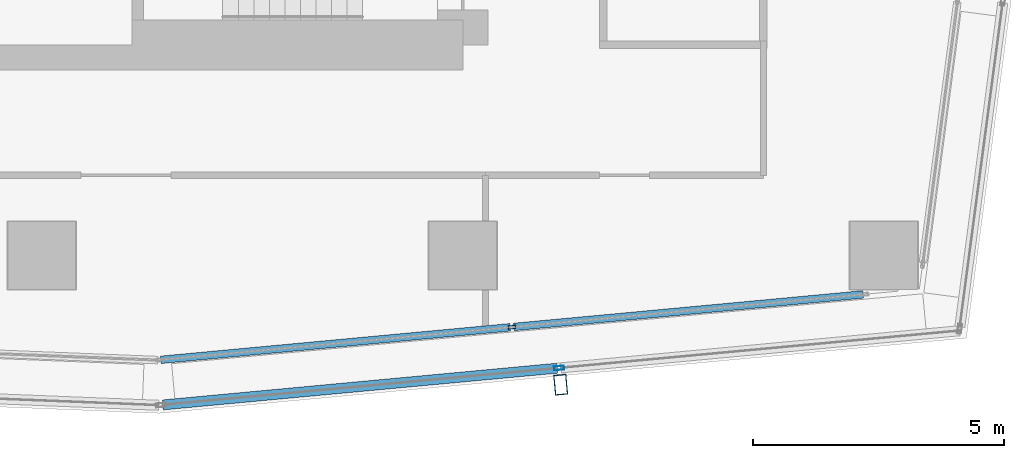
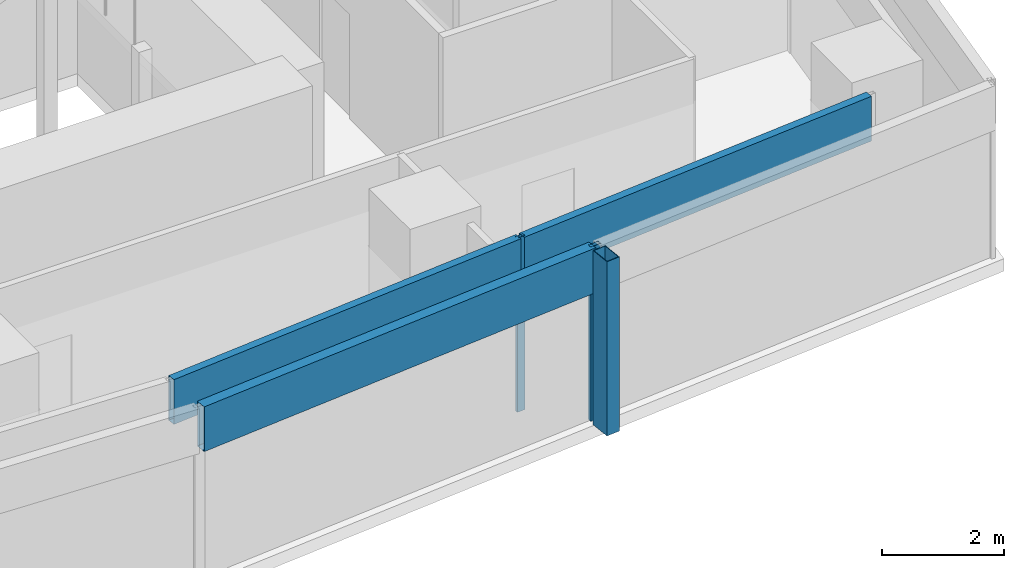
# One storey, part 11 of 33: 6 members, 2 elements without a shape of their own.
"""IFC4 building model written with IfcOpenShell, lengths in metres."""

from ifc_helpers import new_model, si_unit, direction, frame, origin, origin_2d, place, context, subcontext, project, spatial, hollow_rectangle, extrude, material, material_profile, profile_set, type_object, element, aggregate, save


model = new_model("IFC4")

# Units and contexts
model_context = context("Model", 3, precision=1e-05, world=origin(), true_north=direction((0.0, 1.0)))
body_context = subcontext(model_context, "Body", "Model", "MODEL_VIEW")
ifc_project = project(units=[si_unit("LENGTHUNIT", "METRE"), si_unit("AREAUNIT", "SQUARE_METRE"), si_unit("VOLUMEUNIT", "CUBIC_METRE"), si_unit("PLANEANGLEUNIT", "RADIAN"), si_unit("MASSUNIT", "GRAM", prefix="KILO")], contexts=[model_context])

# Site, building, storey
site_placement = place(None, origin())
site = spatial("IfcSite", under=ifc_project, at=site_placement, CompositionType="ELEMENT")
building_placement = place(site_placement, origin())
building = spatial("IfcBuilding", under=site, at=building_placement, Name="Rekha Terrace Tower", CompositionType="ELEMENT")
storey_placement = place(building_placement, frame((0.0, 0.0, 206.449951171875)))
storey = spatial("IfcBuildingStorey", under=building, at=storey_placement, Name="L52", CompositionType="ELEMENT", Elevation=206.449951171875)

# Curtain wall, member
ifc_material_1 = material(Name="Aluminium framing", Category="aluminium")
curtain_wall_type_1 = type_object("IfcCurtainWallType", Name="CW2 double skin outer glazing", PredefinedType="USERDEFINED", material=ifc_material_1)
curtain_wall_1_placement = place(storey_placement, origin())
curtain_wall_1 = element("IfcCurtainWall", 1, at=curtain_wall_1_placement, inside=storey, type_object=curtain_wall_type_1, Name="CW2 double skin outer glazing", ObjectType="DOUBLE SKIN OUTER GLAZING", PredefinedType="USERDEFINED")
ifc_material_2 = material(Name="Steel S355 with fluorocarbon finish", Category="steel")
ifc_material_profile_1 = material_profile(ifc_material_2, hollow_rectangle(XDim=0.25, YDim=0.39990234375, WallThickness=0.012451171875, at=origin_2d()), Name="RHS400x250x12.5")
ifc_profile_set_1 = profile_set([ifc_material_profile_1], Name="Steel S355 with fluorocarbon finish")
member_type_1 = type_object("IfcMemberType", Name="BL1 facade blade RHS 400 x 250", PredefinedType="USERDEFINED", material=ifc_profile_set_1)
member_1_placement = place(storey_placement, frame((52.35302734375, 14.22021484375, 0.0), z_axis=(0.0, 0.0, 1.0), x_axis=(0.995693203185, 0.092709466242, 0.0)))
member_1 = element("IfcMember", 2, at=member_1_placement, type_object=member_type_1, Name="Facade blade", ObjectType="FACADE BLADE", PredefinedType="USERDEFINED", context=body_context, shape_type="SweptSolid", body=[
    extrude(hollow_rectangle(XDim=0.25, YDim=0.39990234375, WallThickness=0.012451171875, at=origin_2d()), origin(), (0.0, 0.0, 1.0), 3.5),
])

# Curtain wall, members
curtain_wall_type_2 = type_object("IfcCurtainWallType", Name="CW1 double skin inner glazing", PredefinedType="USERDEFINED", material=ifc_material_1)
curtain_wall_2_placement = place(storey_placement, origin())
curtain_wall_2 = element("IfcCurtainWall", 3, at=curtain_wall_2_placement, inside=storey, type_object=curtain_wall_type_2, Name="CW1 double skin inner glazing", ObjectType="DOUBLE SKIN INNER GLAZING", PredefinedType="USERDEFINED")
ifc_material_3 = material(Name="Aluminium mullion section", Category="aluminium")
ifc_material_profile_2 = material_profile(ifc_material_3, hollow_rectangle(XDim=0.06494140625, YDim=0.14990234375, WallThickness=0.00390625, at=origin_2d()), Name="AL RHS 65x150")
ifc_profile_set_2 = profile_set([ifc_material_profile_2], Name="Aluminium mullion section")
member_type_2 = type_object("IfcMemberType", Name="CW1 mullion RHS 65 x 150", PredefinedType="MULLION", material=ifc_profile_set_2)
member_2_placement = place(storey_placement, frame((51.3818359375, 15.370361328125, 0.0), z_axis=(0.0, 0.0, 1.0), x_axis=(-0.092708869564, 0.995693258742, 0.0)))
member_2 = element("IfcMember", 4, at=member_2_placement, type_object=member_type_2, Name="CW1 mullion 2", PredefinedType="MULLION", context=body_context, shape_type="SweptSolid", body=[
    extrude(hollow_rectangle(XDim=0.06494140625, YDim=0.14990234375, WallThickness=0.00390625, at=origin_2d()), origin(), (0.0, 0.0, 1.0), 3.5),
])
ifc_material_4 = material(Name="Insulated aluminium spandrel box", Category="aluminium")
ifc_material_profile_3 = material_profile(ifc_material_4, hollow_rectangle(XDim=0.14990234375, YDim=0.89990234375, WallThickness=0.0029296875, at=origin_2d()), Name="AL SPANDREL BOX 150x900")
ifc_profile_set_3 = profile_set([ifc_material_profile_3], Name="Insulated aluminium spandrel box")
member_type_3 = type_object("IfcMemberType", Name="CW1 spandrel transom 150 x 900", PredefinedType="USERDEFINED", material=ifc_profile_set_3)
member_3_placement = place(storey_placement, frame((44.376708984375, 14.718017578125, 3.050048828125), z_axis=(0.995694259474, 0.092698121072, 0.0), x_axis=(-0.092698121072, 0.995694259474, 0.0)))
member_3 = element("IfcMember", 5, at=member_3_placement, type_object=member_type_3, Name="CW1 spandrel transom 1", ObjectType="TRANSOM", PredefinedType="USERDEFINED", context=body_context, shape_type="SweptSolid", body=[
    extrude(hollow_rectangle(XDim=0.14990234375, YDim=0.89990234375, WallThickness=0.0029296875, at=origin_2d()), origin(), (0.0, 0.0, 1.0), 7.003173828125),
])
member_4_placement = place(storey_placement, frame((51.414306640625, 15.373291015625, 3.050048828125), z_axis=(0.995694259474, 0.092698121072, 0.0), x_axis=(-0.092698121072, 0.995694259474, 0.0)))
member_4 = element("IfcMember", 6, at=member_4_placement, type_object=member_type_3, Name="CW1 spandrel transom 2", ObjectType="TRANSOM", PredefinedType="USERDEFINED", context=body_context, shape_type="SweptSolid", body=[
    extrude(hollow_rectangle(XDim=0.14990234375, YDim=0.89990234375, WallThickness=0.0029296875, at=origin_2d()), origin(), (0.0, 0.0, 1.0), 7.003173828125),
])
aggregate(curtain_wall_2, [member_2, member_3, member_4])

# Member
ifc_material_profile_4 = material_profile(ifc_material_3, hollow_rectangle(XDim=0.080078125, YDim=0.199951171875, WallThickness=0.00390625, at=origin_2d()), Name="AL RHS 80x200")
ifc_profile_set_4 = profile_set([ifc_material_profile_4], Name="Aluminium mullion section")
member_type_4 = type_object("IfcMemberType", Name="CW2 mullion RHS 80 x 200", PredefinedType="MULLION", material=ifc_profile_set_4)
member_5_placement = place(storey_placement, frame((52.322021484375, 14.553955078125, 0.0), z_axis=(0.0, 0.0, 1.0), x_axis=(-0.092708869512, 0.995693258747, 0.0)))
member_5 = element("IfcMember", 7, at=member_5_placement, type_object=member_type_4, Name="CW2 mullion 2", PredefinedType="MULLION", context=body_context, shape_type="SweptSolid", body=[
    extrude(hollow_rectangle(XDim=0.080078125, YDim=0.199951171875, WallThickness=0.00390625, at=origin_2d()), origin(), (0.0, 0.0, 1.0), 3.5),
])

ifc_material_profile_5 = material_profile(ifc_material_4, hollow_rectangle(XDim=0.199951171875, YDim=0.89990234375, WallThickness=0.0029296875, at=origin_2d()), Name="AL SPANDREL BOX 200x900")
ifc_profile_set_5 = profile_set([ifc_material_profile_5], Name="Insulated aluminium spandrel box")
member_type_5 = type_object("IfcMemberType", Name="CW2 spandrel transom 200 x 900", PredefinedType="USERDEFINED", material=ifc_profile_set_5)
member_6_placement = place(storey_placement, frame((44.41552734375, 13.817626953125, 3.050048828125), z_axis=(0.995690937161, 0.092733799963, 0.0), x_axis=(-0.092733799963, 0.995690937161, 0.0)))
member_6 = element("IfcMember", 8, at=member_6_placement, type_object=member_type_5, Name="CW2 spandrel transom 1", ObjectType="TRANSOM", PredefinedType="USERDEFINED", context=body_context, shape_type="SweptSolid", body=[
    extrude(hollow_rectangle(XDim=0.199951171875, YDim=0.89990234375, WallThickness=0.0029296875, at=origin_2d()), origin(), (0.0, 0.0, 1.0), 7.900634765625),
])

aggregate(curtain_wall_1, [member_5, member_6, member_1])

save(model, "model.ifc")
